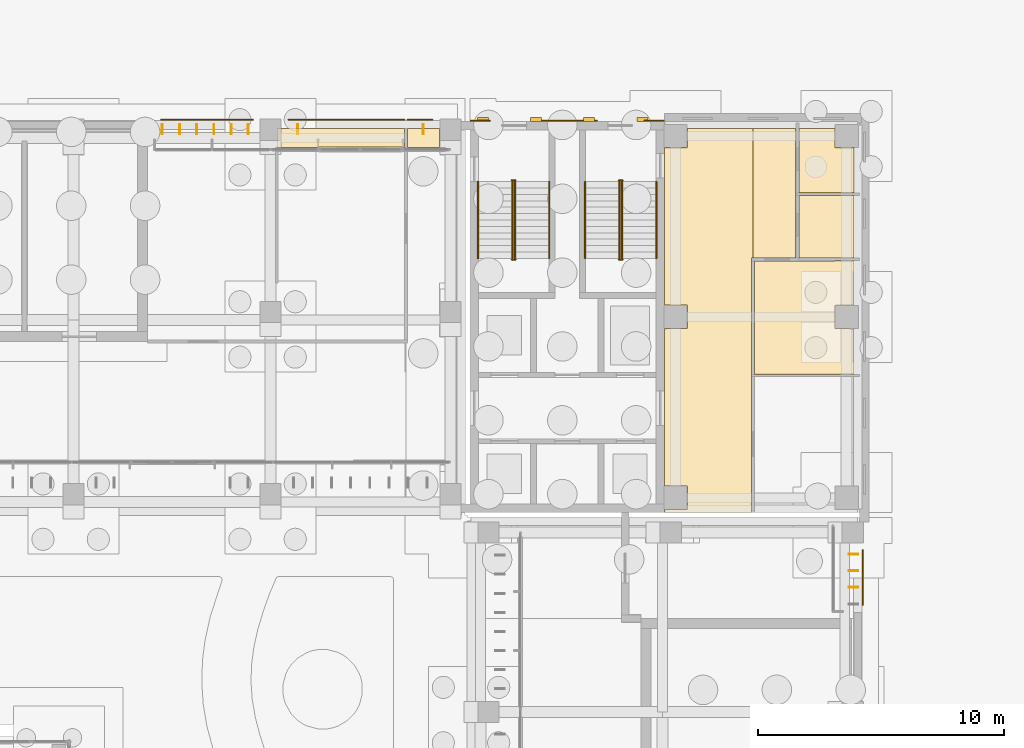
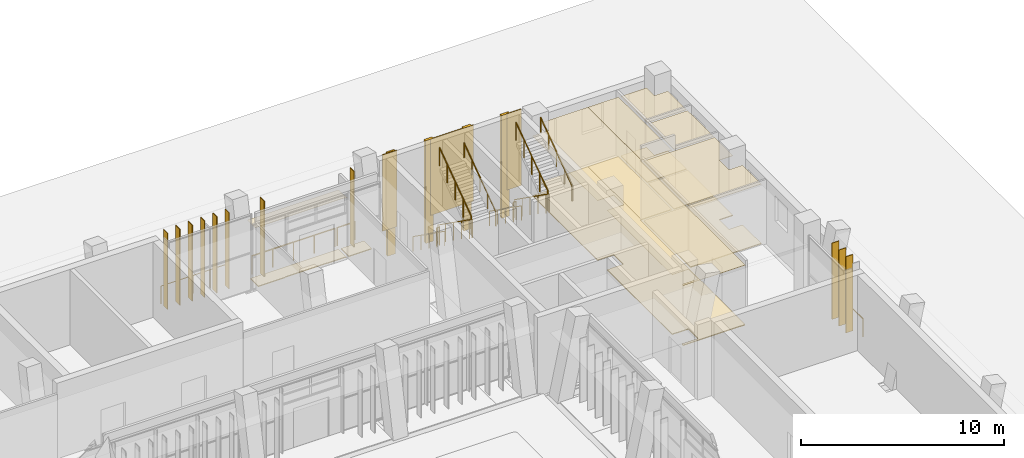
# One storey, part 143 of 144: 20 coverings, 16 railings, 11 shading devices.
"""IFC4 building model written with IfcOpenShell, lengths in metres."""

from ifc_helpers import new_model, si_unit, direction, frame, frame_2d, origin, origin_2d, place, context, subcontext, project, spatial, polyline, rectangle, circle, outline, extrude, material, layer, layer_set, type_object, element, save


model = new_model("IFC4")

# Units and contexts
model_context = context("Model", 3, precision=1e-05, world=origin(), true_north=direction((0.0, 1.0)))
body_context = subcontext(model_context, "Body", "Model", "MODEL_VIEW")
ifc_project = project(units=[si_unit("LENGTHUNIT", "METRE"), si_unit("AREAUNIT", "SQUARE_METRE"), si_unit("VOLUMEUNIT", "CUBIC_METRE"), si_unit("PLANEANGLEUNIT", "RADIAN"), si_unit("MASSUNIT", "GRAM", prefix="KILO")], contexts=[model_context])

# Site, building, storey
site_placement = place(None, origin())
site = spatial("IfcSite", under=ifc_project, at=site_placement, CompositionType="ELEMENT")
building_placement = place(site_placement, origin())
building = spatial("IfcBuilding", under=site, at=building_placement, Name="Lantern Court Media Centre", CompositionType="ELEMENT")
storey_placement = place(building_placement, origin())
storey = spatial("IfcBuildingStorey", under=building, at=storey_placement, Name="L00", CompositionType="ELEMENT", Elevation=0.0)

# Coverings
ifc_material_1 = material(Name="Carpet")
ifc_layer_1 = layer(ifc_material_1, 0.050048828125)
ifc_layer_set_1 = layer_set([ifc_layer_1], Name="Carpet")
covering_type_1 = type_object("IfcCoveringType", Name="Carpet floor finish", PredefinedType="FLOORING", material=ifc_layer_set_1)
covering_1_placement = place(storey_placement, origin())
element("IfcCovering", 1, at=covering_1_placement, inside=storey, type_object=covering_type_1, Name="Media Training Room 02 floor finish", PredefinedType="FLOORING", context=body_context, shape_type="SweptSolid", body=[
    extrude(outline(polyline([(77.4326171875, 111.699951171875), (77.4326171875, 110.929931640625), (77.35498046875, 110.929931640625), (77.35009765625, 110.955078125), (73.949951171875, 110.955078125), (73.945068359375, 110.929931640625), (72.429931640625, 110.929931640625), (72.429931640625, 111.699951171875), (77.4326171875, 111.699951171875)])), origin(), (0.0, 0.0, 1.0), 0.050048828125),
])
covering_2_placement = place(storey_placement, origin())
element("IfcCovering", 2, at=covering_2_placement, inside=storey, type_object=covering_type_1, Name="Broadcast Programming Office 01 floor finish", PredefinedType="FLOORING", context=body_context, shape_type="SweptSolid", body=[
    extrude(outline(polyline([(95.699951171875, 101.72607421875), (91.66748046875, 101.72607421875), (91.66748046875, 106.318603515625), (95.699951171875, 106.3310546875), (95.699951171875, 104.530029296875), (94.919921875, 104.52490234375), (94.921142578125, 103.57177734375), (95.699951171875, 103.570068359375), (95.699951171875, 101.72607421875)])), origin(), (0.0, 0.0, 1.0), 0.050048828125),
])
covering_3_placement = place(storey_placement, origin())
element("IfcCovering", 3, at=covering_3_placement, inside=storey, type_object=covering_type_1, Name="WC Male floor finish", PredefinedType="FLOORING", context=body_context, shape_type="SweptSolid", body=[
    extrude(outline(polyline([(95.699951171875, 109.097900390625), (93.467529296875, 109.097900390625), (93.467529296875, 111.699951171875), (94.919921875, 111.699951171875), (94.92138671875, 110.92138671875), (95.699951171875, 110.919921875), (95.699951171875, 109.097900390625)])), origin(), (0.0, 0.0, 1.0), 0.050048828125),
])
covering_4_placement = place(storey_placement, origin())
element("IfcCovering", 4, at=covering_4_placement, inside=storey, type_object=covering_type_1, Name="WC Female floor finish", PredefinedType="FLOORING", context=body_context, shape_type="SweptSolid", body=[
    extrude(outline(polyline([(95.699951171875, 106.44091796875), (93.467529296875, 106.44091796875), (93.467529296875, 108.988037109375), (95.699951171875, 108.988037109375), (95.699951171875, 106.44091796875)])), origin(), (0.0, 0.0, 1.0), 0.050048828125),
])

# Railings
ifc_material_2 = material(Name="Powder-coated steel", Category="steel")
railing_type_1 = type_object("IfcRailingType", Name="Floor edge guard 1100", PredefinedType="GUARDRAIL", material=ifc_material_2)
railing_1_placement = place(storey_placement, frame((96.06005859375, 92.35009765625, 0.0)))
element("IfcRailing", 5, at=railing_1_placement, inside=storey, type_object=railing_type_1, Name="L00 opening guard 18", PredefinedType="GUARDRAIL", context=body_context, shape_type="SweptSolid", body=[
    extrude(circle(Radius=0.02392578125, at=origin_2d()), frame((0.0, 0.0, 1.076171875), z_axis=(0.0, 1.0, 0.0), x_axis=(-1.0, 0.0, 0.0)), (0.0, 0.0, 1.0), 2.224853515625),
    extrude(circle(Radius=0.02099609375, at=origin_2d()), origin(), (0.0, 0.0, 1.0), 1.052001953125),
    extrude(circle(Radius=0.02099609375, at=origin_2d()), frame((0.0, 1.1123046875, 0.0)), (0.0, 0.0, 1.0), 1.052001953125),
    extrude(circle(Radius=0.02099609375, at=origin_2d()), frame((0.0, 2.224853515625, 0.0)), (0.0, 0.0, 1.0), 1.052001953125),
])
railing_2_placement = place(storey_placement, frame((78.574951171875, 112.06005859375, 0.0)))
element("IfcRailing", 6, at=railing_2_placement, inside=storey, type_object=railing_type_1, Name="L00 opening guard 19", PredefinedType="GUARDRAIL", context=body_context, shape_type="SweptSolid", body=[
    extrude(circle(Radius=0.02392578125, at=origin_2d()), frame((0.0, 0.0, 1.076171875), z_axis=(-1.0, 0.0, 0.0), x_axis=(0.0, -1.0, 0.0)), (0.0, 0.0, 1.0), 1.012451171875),
    extrude(circle(Radius=0.02099609375, at=origin_2d()), origin(), (0.0, 0.0, 1.0), 1.052001953125),
    extrude(circle(Radius=0.02099609375, at=origin_2d()), frame((-1.012451171875, 0.0, 0.0)), (0.0, 0.0, 1.0), 1.052001953125),
])
railing_3_placement = place(storey_placement, frame((77.4375, 112.06005859375, 0.0)))
element("IfcRailing", 7, at=railing_3_placement, inside=storey, type_object=railing_type_1, Name="L00 opening guard 20", PredefinedType="GUARDRAIL", context=body_context, shape_type="SweptSolid", body=[
    extrude(circle(Radius=0.02392578125, at=origin_2d()), frame((0.0, 0.0, 1.076171875), z_axis=(-1.0, 0.0, 0.0), x_axis=(0.0, -1.0, 0.0)), (0.0, 0.0, 1.0), 4.71240234375),
    extrude(circle(Radius=0.02099609375, at=origin_2d()), origin(), (0.0, 0.0, 1.0), 1.052001953125),
    extrude(circle(Radius=0.02099609375, at=origin_2d()), frame((-1.17822265625, 0.0, 0.0)), (0.0, 0.0, 1.0), 1.052001953125),
    extrude(circle(Radius=0.02099609375, at=origin_2d()), frame((-2.356201171875, 0.0, 0.0)), (0.0, 0.0, 1.0), 1.052001953125),
    extrude(circle(Radius=0.02099609375, at=origin_2d()), frame((-3.5341796875, 0.0, 0.0)), (0.0, 0.0, 1.0), 1.052001953125),
    extrude(circle(Radius=0.02099609375, at=origin_2d()), frame((-4.71240234375, 0.0, 0.0)), (0.0, 0.0, 1.0), 1.052001953125),
])
railing_4_placement = place(storey_placement, frame((71.27490234375, 112.06005859375, 0.0)))
element("IfcRailing", 8, at=railing_4_placement, inside=storey, type_object=railing_type_1, Name="L00 opening guard 21", PredefinedType="GUARDRAIL", context=body_context, shape_type="SweptSolid", body=[
    extrude(circle(Radius=0.02392578125, at=origin_2d()), frame((0.0, 0.0, 1.076171875), z_axis=(-1.0, 0.0, 0.0), x_axis=(0.0, -1.0, 0.0)), (0.0, 0.0, 1.0), 3.724853515625),
    extrude(circle(Radius=0.02099609375, at=origin_2d()), origin(), (0.0, 0.0, 1.0), 1.052001953125),
    extrude(circle(Radius=0.02099609375, at=origin_2d()), frame((-0.93115234375, 0.0, 0.0)), (0.0, 0.0, 1.0), 1.052001953125),
    extrude(circle(Radius=0.02099609375, at=origin_2d()), frame((-1.8623046875, 0.0, 0.0)), (0.0, 0.0, 1.0), 1.052001953125),
    extrude(circle(Radius=0.02099609375, at=origin_2d()), frame((-2.793701171875, 0.0, 0.0)), (0.0, 0.0, 1.0), 1.052001953125),
    extrude(circle(Radius=0.02099609375, at=origin_2d()), frame((-3.724853515625, 0.0, 0.0)), (0.0, 0.0, 1.0), 1.052001953125),
])

# Coverings
ifc_material_3 = material(Name="Honed limestone cladding", Category="masonry")
ifc_layer_2 = layer(ifc_material_3, 0.050048828125)
ifc_layer_set_2 = layer_set([ifc_layer_2], Name="Honed limestone cladding")
covering_type_2 = type_object("IfcCoveringType", Name="Limestone cladding panel 50", PredefinedType="CLADDING", material=ifc_layer_set_2)
covering_5_placement = place(storey_placement, frame((80.10009765625, 112.02490234375, 0.0), z_axis=(0.0, 0.0, 1.0), x_axis=(1.0, 0.0, 0.0)))
element("IfcCovering", 9, at=covering_5_placement, inside=storey, type_object=covering_type_2, Name="Limestone cladding NE stair core", PredefinedType="CLADDING", context=body_context, shape_type="SweptSolid", body=[
    extrude(rectangle(XDim=0.824951171875, YDim=0.050048828125, at=frame_2d((0.41259765625, 0.0))), origin(), (0.0, 0.0, 1.0), 4.580078125),
])
covering_6_placement = place(storey_placement, frame((82.824951171875, 112.02490234375, 0.0), z_axis=(0.0, 0.0, 1.0), x_axis=(1.0, 0.0, 0.0)))
element("IfcCovering", 10, at=covering_6_placement, inside=storey, type_object=covering_type_2, Name="Limestone cladding NE stair core", PredefinedType="CLADDING", context=body_context, shape_type="SweptSolid", body=[
    extrude(rectangle(XDim=2.449951171875, YDim=0.050048828125, at=frame_2d((1.22509765625, 0.0))), origin(), (0.0, 0.0, 1.0), 4.580078125),
])
covering_7_placement = place(storey_placement, frame((87.175048828125, 112.02490234375, 0.0), z_axis=(0.0, 0.0, 1.0), x_axis=(1.0, 0.0, 0.0)))
element("IfcCovering", 11, at=covering_7_placement, inside=storey, type_object=covering_type_2, Name="Limestone cladding NE stair core", PredefinedType="CLADDING", context=body_context, shape_type="SweptSolid", body=[
    extrude(rectangle(XDim=0.824951171875, YDim=0.050048828125, at=frame_2d((0.41259765625, 0.0))), origin(), (0.0, 0.0, 1.0), 4.580078125),
])
ifc_layer_3 = layer(ifc_material_3, 0.14990234375)
ifc_layer_set_3 = layer_set([ifc_layer_3], Name="Honed limestone cladding")
covering_type_3 = type_object("IfcCoveringType", Name="Limestone pilaster cladding 150", PredefinedType="CLADDING", material=ifc_layer_set_3)
covering_8_placement = place(storey_placement, frame((80.39990234375, 112.074951171875, -1.60009765625), z_axis=(0.0, 0.0, 1.0), x_axis=(1.0, 0.0, 0.0)))
element("IfcCovering", 12, at=covering_8_placement, inside=storey, type_object=covering_type_3, Name="Limestone pilaster rib", PredefinedType="CLADDING", context=body_context, shape_type="SweptSolid", body=[
    extrude(rectangle(XDim=0.4501953125, YDim=0.14990234375, at=frame_2d((0.22509765625, 0.0))), origin(), (0.0, 0.0, 1.0), 6.18017578125),
])
covering_9_placement = place(storey_placement, frame((82.558349609375, 112.074951171875, -1.60009765625), z_axis=(0.0, 0.0, 1.0), x_axis=(1.0, 0.0, 0.0)))
element("IfcCovering", 13, at=covering_9_placement, inside=storey, type_object=covering_type_3, Name="Limestone pilaster rib", PredefinedType="CLADDING", context=body_context, shape_type="SweptSolid", body=[
    extrude(rectangle(XDim=0.449951171875, YDim=0.14990234375, at=frame_2d((0.22509765625, 0.0))), origin(), (0.0, 0.0, 1.0), 6.18017578125),
])
covering_10_placement = place(storey_placement, frame((84.716552734375, 112.074951171875, -1.60009765625), z_axis=(0.0, 0.0, 1.0), x_axis=(1.0, 0.0, 0.0)))
element("IfcCovering", 14, at=covering_10_placement, inside=storey, type_object=covering_type_3, Name="Limestone pilaster rib", PredefinedType="CLADDING", context=body_context, shape_type="SweptSolid", body=[
    extrude(rectangle(XDim=0.4501953125, YDim=0.14990234375, at=frame_2d((0.22509765625, 0.0))), origin(), (0.0, 0.0, 1.0), 6.18017578125),
])
covering_11_placement = place(storey_placement, frame((86.875, 112.074951171875, -1.60009765625), z_axis=(0.0, 0.0, 1.0), x_axis=(1.0, 0.0, 0.0)))
element("IfcCovering", 15, at=covering_11_placement, inside=storey, type_object=covering_type_3, Name="Limestone pilaster rib", PredefinedType="CLADDING", context=body_context, shape_type="SweptSolid", body=[
    extrude(rectangle(XDim=0.449951171875, YDim=0.14990234375, at=frame_2d((0.22509765625, 0.0))), origin(), (0.0, 0.0, 1.0), 6.18017578125),
])

# Railings
railing_type_2 = type_object("IfcRailingType", Name="Stair guard 1100", PredefinedType="GUARDRAIL", material=ifc_material_2)
railing_5_placement = place(storey_placement, frame((86.174072265625, 109.550048828125, 0.1845703125)))
element("IfcRailing", 16, at=railing_5_placement, inside=storey, type_object=railing_type_2, Name="L00 ST-NEA stair guard 1", PredefinedType="GUARDRAIL", context=body_context, shape_type="SweptSolid", body=[
    extrude(circle(Radius=0.02392578125, at=origin_2d()), frame((0.0, 0.0, 1.076171875), z_axis=(0.0, -0.815376961211, 0.578930402662), x_axis=(1.0, 0.0, 0.0)), (0.0, 0.0, 1.0), 3.82666015625),
    extrude(circle(Radius=0.02099609375, at=origin_2d()), origin(), (0.0, 0.0, 1.0), 1.052001953125),
    extrude(circle(Radius=0.02099609375, at=origin_2d()), frame((0.0, -0.780029296875, 0.5537109375)), (0.0, 0.0, 1.0), 1.052001953125),
    extrude(circle(Radius=0.02099609375, at=origin_2d()), frame((0.0, -1.56005859375, 1.107666015625)), (0.0, 0.0, 1.0), 1.052001953125),
    extrude(circle(Radius=0.02099609375, at=origin_2d()), frame((0.0, -2.340087890625, 1.66162109375)), (0.0, 0.0, 1.0), 1.052001953125),
    extrude(circle(Radius=0.02099609375, at=origin_2d()), frame((0.0, -3.1201171875, 2.21533203125)), (0.0, 0.0, 1.0), 1.052001953125),
])
railing_6_placement = place(storey_placement, frame((86.14990234375, 106.3798828125, 2.39990234375)))
element("IfcRailing", 17, at=railing_6_placement, inside=storey, type_object=railing_type_2, Name="L00 ST-NEA stair guard 2", PredefinedType="GUARDRAIL", context=body_context, shape_type="SweptSolid", body=[
    extrude(circle(Radius=0.02392578125, at=origin_2d()), frame((0.0, 0.0, 1.076171875), z_axis=(1.0, 0.0, 0.0), x_axis=(0.0, 1.0, 0.0)), (0.0, 0.0, 1.0), 0.150146484375),
    extrude(circle(Radius=0.02099609375, at=origin_2d()), origin(), (0.0, 0.0, 1.0), 1.052001953125),
    extrude(circle(Radius=0.02099609375, at=origin_2d()), frame((0.150146484375, 0.0, 0.0)), (0.0, 0.0, 1.0), 1.052001953125),
])
railing_7_placement = place(storey_placement, frame((86.27587890625, 106.429931640625, 2.584716796875)))
element("IfcRailing", 18, at=railing_7_placement, inside=storey, type_object=railing_type_2, Name="L00 ST-NEA stair guard 3", PredefinedType="GUARDRAIL", context=body_context, shape_type="SweptSolid", body=[
    extrude(circle(Radius=0.02392578125, at=origin_2d()), frame((0.0, 0.0, 1.076171875), z_axis=(0.0, 0.815376961211, 0.578930402662), x_axis=(-1.0, 0.0, 0.0)), (0.0, 0.0, 1.0), 3.82666015625),
    extrude(circle(Radius=0.02099609375, at=origin_2d()), origin(), (0.0, 0.0, 1.0), 1.052001953125),
    extrude(circle(Radius=0.02099609375, at=origin_2d()), frame((0.0, 0.780029296875, 0.5537109375)), (0.0, 0.0, 1.0), 1.052001953125),
    extrude(circle(Radius=0.02099609375, at=origin_2d()), frame((0.0, 1.56005859375, 1.107666015625)), (0.0, 0.0, 1.0), 1.052001953125),
    extrude(circle(Radius=0.02099609375, at=origin_2d()), frame((0.0, 2.340087890625, 1.66162109375)), (0.0, 0.0, 1.0), 1.052001953125),
    extrude(circle(Radius=0.02099609375, at=origin_2d()), frame((0.0, 3.1201171875, 2.21533203125)), (0.0, 0.0, 1.0), 1.052001953125),
])
railing_8_placement = place(storey_placement, frame((86.14990234375, 109.60009765625, 0.0)))
element("IfcRailing", 19, at=railing_8_placement, inside=storey, type_object=railing_type_2, Name="L00 ST-NEA stair guard 4", PredefinedType="GUARDRAIL", context=body_context, shape_type="SweptSolid", body=[
    extrude(circle(Radius=0.02392578125, at=origin_2d()), frame((0.0, 0.0, 1.076171875), z_axis=(1.0, 0.0, 0.0), x_axis=(0.0, 1.0, 0.0)), (0.0, 0.0, 1.0), 0.150146484375),
    extrude(circle(Radius=0.02099609375, at=origin_2d()), origin(), (0.0, 0.0, 1.0), 1.052001953125),
    extrude(circle(Radius=0.02099609375, at=origin_2d()), frame((0.150146484375, 0.0, 0.0)), (0.0, 0.0, 1.0), 1.052001953125),
])
railing_9_placement = place(storey_placement, frame((81.823974609375, 109.550048828125, 0.1845703125)))
element("IfcRailing", 20, at=railing_9_placement, inside=storey, type_object=railing_type_2, Name="L00 ST-NEB stair guard 1", PredefinedType="GUARDRAIL", context=body_context, shape_type="SweptSolid", body=[
    extrude(circle(Radius=0.02392578125, at=origin_2d()), frame((0.0, 0.0, 1.076171875), z_axis=(0.0, -0.815376961211, 0.578930402662), x_axis=(1.0, 0.0, 0.0)), (0.0, 0.0, 1.0), 3.82666015625),
    extrude(circle(Radius=0.02099609375, at=origin_2d()), origin(), (0.0, 0.0, 1.0), 1.052001953125),
    extrude(circle(Radius=0.02099609375, at=origin_2d()), frame((0.0, -0.780029296875, 0.5537109375)), (0.0, 0.0, 1.0), 1.052001953125),
    extrude(circle(Radius=0.02099609375, at=origin_2d()), frame((0.0, -1.56005859375, 1.107666015625)), (0.0, 0.0, 1.0), 1.052001953125),
    extrude(circle(Radius=0.02099609375, at=origin_2d()), frame((0.0, -2.340087890625, 1.66162109375)), (0.0, 0.0, 1.0), 1.052001953125),
    extrude(circle(Radius=0.02099609375, at=origin_2d()), frame((0.0, -3.1201171875, 2.21533203125)), (0.0, 0.0, 1.0), 1.052001953125),
])
railing_10_placement = place(storey_placement, frame((81.800048828125, 106.3798828125, 2.39990234375)))
element("IfcRailing", 21, at=railing_10_placement, inside=storey, type_object=railing_type_2, Name="L00 ST-NEB stair guard 2", PredefinedType="GUARDRAIL", context=body_context, shape_type="SweptSolid", body=[
    extrude(circle(Radius=0.02392578125, at=origin_2d()), frame((0.0, 0.0, 1.076171875), z_axis=(1.0, 0.0, 0.0), x_axis=(0.0, 1.0, 0.0)), (0.0, 0.0, 1.0), 0.14990234375),
    extrude(circle(Radius=0.02099609375, at=origin_2d()), origin(), (0.0, 0.0, 1.0), 1.052001953125),
    extrude(circle(Radius=0.02099609375, at=origin_2d()), frame((0.14990234375, 0.0, 0.0)), (0.0, 0.0, 1.0), 1.052001953125),
])
railing_11_placement = place(storey_placement, frame((81.926025390625, 106.429931640625, 2.584716796875)))
element("IfcRailing", 22, at=railing_11_placement, inside=storey, type_object=railing_type_2, Name="L00 ST-NEB stair guard 3", PredefinedType="GUARDRAIL", context=body_context, shape_type="SweptSolid", body=[
    extrude(circle(Radius=0.02392578125, at=origin_2d()), frame((0.0, 0.0, 1.076171875), z_axis=(0.0, 0.815376961211, 0.578930402662), x_axis=(-1.0, 0.0, 0.0)), (0.0, 0.0, 1.0), 3.82666015625),
    extrude(circle(Radius=0.02099609375, at=origin_2d()), origin(), (0.0, 0.0, 1.0), 1.052001953125),
    extrude(circle(Radius=0.02099609375, at=origin_2d()), frame((0.0, 0.780029296875, 0.5537109375)), (0.0, 0.0, 1.0), 1.052001953125),
    extrude(circle(Radius=0.02099609375, at=origin_2d()), frame((0.0, 1.56005859375, 1.107666015625)), (0.0, 0.0, 1.0), 1.052001953125),
    extrude(circle(Radius=0.02099609375, at=origin_2d()), frame((0.0, 2.340087890625, 1.66162109375)), (0.0, 0.0, 1.0), 1.052001953125),
    extrude(circle(Radius=0.02099609375, at=origin_2d()), frame((0.0, 3.1201171875, 2.21533203125)), (0.0, 0.0, 1.0), 1.052001953125),
])
railing_12_placement = place(storey_placement, frame((81.800048828125, 109.60009765625, 0.0)))
element("IfcRailing", 23, at=railing_12_placement, inside=storey, type_object=railing_type_2, Name="L00 ST-NEB stair guard 4", PredefinedType="GUARDRAIL", context=body_context, shape_type="SweptSolid", body=[
    extrude(circle(Radius=0.02392578125, at=origin_2d()), frame((0.0, 0.0, 1.076171875), z_axis=(1.0, 0.0, 0.0), x_axis=(0.0, 1.0, 0.0)), (0.0, 0.0, 1.0), 0.14990234375),
    extrude(circle(Radius=0.02099609375, at=origin_2d()), origin(), (0.0, 0.0, 1.0), 1.052001953125),
    extrude(circle(Radius=0.02099609375, at=origin_2d()), frame((0.14990234375, 0.0, 0.0)), (0.0, 0.0, 1.0), 1.052001953125),
])
railing_type_3 = type_object("IfcRailingType", Name="Stair handrail 900", PredefinedType="HANDRAIL", material=ifc_material_2)
railing_13_placement = place(storey_placement, frame((84.77587890625, 109.550048828125, 0.1845703125)))
element("IfcRailing", 24, at=railing_13_placement, inside=storey, type_object=railing_type_3, Name="L00 ST-NEA stair handrail 1", PredefinedType="HANDRAIL", context=body_context, shape_type="SweptSolid", body=[
    extrude(circle(Radius=0.02392578125, at=origin_2d()), frame((0.0, 0.0, 0.8759765625), z_axis=(0.0, -0.815376961211, 0.578930402662), x_axis=(1.0, 0.0, 0.0)), (0.0, 0.0, 1.0), 3.82666015625),
    extrude(circle(Radius=0.02099609375, at=origin_2d()), origin(), (0.0, 0.0, 1.0), 0.851806640625),
    extrude(circle(Radius=0.02099609375, at=origin_2d()), frame((0.0, -0.780029296875, 0.5537109375)), (0.0, 0.0, 1.0), 0.851806640625),
    extrude(circle(Radius=0.02099609375, at=origin_2d()), frame((0.0, -1.56005859375, 1.107666015625)), (0.0, 0.0, 1.0), 0.851806640625),
    extrude(circle(Radius=0.02099609375, at=origin_2d()), frame((0.0, -2.340087890625, 1.66162109375)), (0.0, 0.0, 1.0), 0.851806640625),
    extrude(circle(Radius=0.02099609375, at=origin_2d()), frame((0.0, -3.1201171875, 2.21533203125)), (0.0, 0.0, 1.0), 0.851806640625),
])
railing_14_placement = place(storey_placement, frame((87.674072265625, 106.429931640625, 2.584716796875)))
element("IfcRailing", 25, at=railing_14_placement, inside=storey, type_object=railing_type_3, Name="L00 ST-NEA stair handrail 2", PredefinedType="HANDRAIL", context=body_context, shape_type="SweptSolid", body=[
    extrude(circle(Radius=0.02392578125, at=origin_2d()), frame((0.0, 0.0, 0.8759765625), z_axis=(0.0, 0.815376961211, 0.578930402662), x_axis=(-1.0, 0.0, 0.0)), (0.0, 0.0, 1.0), 3.82666015625),
    extrude(circle(Radius=0.02099609375, at=origin_2d()), origin(), (0.0, 0.0, 1.0), 0.851806640625),
    extrude(circle(Radius=0.02099609375, at=origin_2d()), frame((0.0, 0.780029296875, 0.5537109375)), (0.0, 0.0, 1.0), 0.851806640625),
    extrude(circle(Radius=0.02099609375, at=origin_2d()), frame((0.0, 1.56005859375, 1.107666015625)), (0.0, 0.0, 1.0), 0.851806640625),
    extrude(circle(Radius=0.02099609375, at=origin_2d()), frame((0.0, 2.340087890625, 1.66162109375)), (0.0, 0.0, 1.0), 0.851806640625),
    extrude(circle(Radius=0.02099609375, at=origin_2d()), frame((0.0, 3.1201171875, 2.21533203125)), (0.0, 0.0, 1.0), 0.851806640625),
])
railing_15_placement = place(storey_placement, frame((80.426025390625, 109.550048828125, 0.1845703125)))
element("IfcRailing", 26, at=railing_15_placement, inside=storey, type_object=railing_type_3, Name="L00 ST-NEB stair handrail 1", PredefinedType="HANDRAIL", context=body_context, shape_type="SweptSolid", body=[
    extrude(circle(Radius=0.02392578125, at=origin_2d()), frame((0.0, 0.0, 0.8759765625), z_axis=(0.0, -0.815376961211, 0.578930402662), x_axis=(1.0, 0.0, 0.0)), (0.0, 0.0, 1.0), 3.82666015625),
    extrude(circle(Radius=0.02099609375, at=origin_2d()), origin(), (0.0, 0.0, 1.0), 0.851806640625),
    extrude(circle(Radius=0.02099609375, at=origin_2d()), frame((0.0, -0.780029296875, 0.5537109375)), (0.0, 0.0, 1.0), 0.851806640625),
    extrude(circle(Radius=0.02099609375, at=origin_2d()), frame((0.0, -1.56005859375, 1.107666015625)), (0.0, 0.0, 1.0), 0.851806640625),
    extrude(circle(Radius=0.02099609375, at=origin_2d()), frame((0.0, -2.340087890625, 1.66162109375)), (0.0, 0.0, 1.0), 0.851806640625),
    extrude(circle(Radius=0.02099609375, at=origin_2d()), frame((0.0, -3.1201171875, 2.21533203125)), (0.0, 0.0, 1.0), 0.851806640625),
])
railing_16_placement = place(storey_placement, frame((83.323974609375, 106.429931640625, 2.584716796875)))
element("IfcRailing", 27, at=railing_16_placement, inside=storey, type_object=railing_type_3, Name="L00 ST-NEB stair handrail 2", PredefinedType="HANDRAIL", context=body_context, shape_type="SweptSolid", body=[
    extrude(circle(Radius=0.02392578125, at=origin_2d()), frame((0.0, 0.0, 0.8759765625), z_axis=(0.0, 0.815376961211, 0.578930402662), x_axis=(-1.0, 0.0, 0.0)), (0.0, 0.0, 1.0), 3.82666015625),
    extrude(circle(Radius=0.02099609375, at=origin_2d()), origin(), (0.0, 0.0, 1.0), 0.851806640625),
    extrude(circle(Radius=0.02099609375, at=origin_2d()), frame((0.0, 0.780029296875, 0.5537109375)), (0.0, 0.0, 1.0), 0.851806640625),
    extrude(circle(Radius=0.02099609375, at=origin_2d()), frame((0.0, 1.56005859375, 1.107666015625)), (0.0, 0.0, 1.0), 0.851806640625),
    extrude(circle(Radius=0.02099609375, at=origin_2d()), frame((0.0, 2.340087890625, 1.66162109375)), (0.0, 0.0, 1.0), 0.851806640625),
    extrude(circle(Radius=0.02099609375, at=origin_2d()), frame((0.0, 3.1201171875, 2.21533203125)), (0.0, 0.0, 1.0), 0.851806640625),
])

# Coverings
ifc_material_4 = material(Name="Mineral fibre ceiling tile")
ifc_layer_4 = layer(ifc_material_4, 0.02001953125)
ifc_layer_set_4 = layer_set([ifc_layer_4], Name="Mineral fibre ceiling tile")
covering_type_4 = type_object("IfcCoveringType", Name="Suspended ceiling tile", PredefinedType="CEILING", material=ifc_layer_set_4)
covering_12_placement = place(storey_placement, frame((0.0, 0.0, 3.60009765625)))
element("IfcCovering", 28, at=covering_12_placement, inside=storey, type_object=covering_type_4, Name="Media Training Room 02 ceiling", PredefinedType="CEILING", context=body_context, shape_type="SweptSolid", body=[
    extrude(outline(polyline([(77.5, 110.925537109375), (77.3505859375, 110.925537109375), (77.35009765625, 110.950439453125), (73.949951171875, 110.950439453125), (73.949462890625, 110.925537109375), (72.25, 110.925537109375), (72.25, 111.699951171875), (77.43701171875, 111.699951171875), (77.43701171875, 110.929931640625), (77.5, 110.925537109375)])), origin(), (0.0, 0.0, 1.0), 0.02001953125),
])
covering_13_placement = place(storey_placement, frame((0.0, 0.0, 3.60009765625)))
element("IfcCovering", 29, at=covering_13_placement, inside=storey, type_object=covering_type_4, Name="Corridor ceiling", PredefinedType="CEILING", context=body_context, shape_type="SweptSolid", body=[
    extrude(outline(polyline([(91.60009765625, 111.699951171875), (91.60009765625, 106.448974609375), (91.537109375, 106.448486328125), (91.537109375, 96.10009765625), (88.00048828125, 96.10009765625), (88.00048828125, 96.224609375), (88.925537109375, 96.22509765625), (88.92529296875, 97.17529296875), (88.00048828125, 97.175537109375), (88.00048828125, 103.574462890625), (88.925537109375, 103.574951171875), (88.92529296875, 104.525390625), (88.00048828125, 104.525390625), (88.00048828125, 110.924560546875), (88.92529296875, 110.924560546875), (88.925537109375, 111.699951171875), (91.60009765625, 111.699951171875)])), origin(), (0.0, 0.0, 1.0), 0.02001953125),
])
covering_14_placement = place(storey_placement, frame((0.0, 0.0, 3.60009765625)))
element("IfcCovering", 30, at=covering_14_placement, inside=storey, type_object=covering_type_4, Name="Broadcast Programming Office 01 ceiling", PredefinedType="CEILING", context=body_context, shape_type="SweptSolid", body=[
    extrude(outline(polyline([(95.699951171875, 101.721435546875), (91.6630859375, 101.721435546875), (91.6630859375, 106.322998046875), (95.699951171875, 106.33544921875), (95.699951171875, 104.525390625), (94.924560546875, 104.52490234375), (94.924560546875, 103.57470703125), (95.699951171875, 103.574462890625), (95.699951171875, 101.721435546875)])), origin(), (0.0, 0.0, 1.0), 0.02001953125),
])
covering_15_placement = place(storey_placement, frame((0.0, 0.0, 3.60009765625)))
element("IfcCovering", 31, at=covering_15_placement, inside=storey, type_object=covering_type_4, Name="WC Lobby ceiling", PredefinedType="CEILING", context=body_context, shape_type="SweptSolid", body=[
    extrude(outline(polyline([(91.60009765625, 111.699951171875), (93.3369140625, 111.699951171875), (93.3369140625, 106.448974609375), (91.60009765625, 106.448974609375), (91.60009765625, 111.699951171875)])), origin(), (0.0, 0.0, 1.0), 0.02001953125),
])
covering_16_placement = place(storey_placement, frame((0.0, 0.0, 3.60009765625)))
element("IfcCovering", 32, at=covering_16_placement, inside=storey, type_object=covering_type_4, Name="WC Male ceiling", PredefinedType="CEILING", context=body_context, shape_type="SweptSolid", body=[
    extrude(outline(polyline([(95.699951171875, 109.093505859375), (93.462890625, 109.093505859375), (93.462890625, 111.699951171875), (94.924560546875, 111.699951171875), (94.924560546875, 110.924560546875), (95.699951171875, 110.924560546875), (95.699951171875, 109.093505859375)])), origin(), (0.0, 0.0, 1.0), 0.02001953125),
])
covering_17_placement = place(storey_placement, frame((0.0, 0.0, 3.60009765625)))
element("IfcCovering", 33, at=covering_17_placement, inside=storey, type_object=covering_type_4, Name="WC Female ceiling", PredefinedType="CEILING", context=body_context, shape_type="SweptSolid", body=[
    extrude(outline(polyline([(95.699951171875, 106.4365234375), (93.462890625, 106.4365234375), (93.462890625, 108.992431640625), (95.699951171875, 108.992431640625), (95.699951171875, 106.4365234375)])), origin(), (0.0, 0.0, 1.0), 0.02001953125),
])
ifc_material_5 = material(Name="Terrazzo")
ifc_layer_5 = layer(ifc_material_5, 0.050048828125)
ifc_layer_set_5 = layer_set([ifc_layer_5], Name="Terrazzo")
covering_type_5 = type_object("IfcCoveringType", Name="Terrazzo floor finish", PredefinedType="FLOORING", material=ifc_layer_set_5)
covering_18_placement = place(storey_placement, origin())
element("IfcCovering", 34, at=covering_18_placement, inside=storey, type_object=covering_type_5, Name="End Lobby floor finish", PredefinedType="FLOORING", context=body_context, shape_type="SweptSolid", body=[
    extrude(outline(polyline([(78.8701171875, 111.699951171875), (78.8701171875, 110.929931640625), (77.5673828125, 110.929931640625), (77.5673828125, 111.699951171875), (78.8701171875, 111.699951171875)])), origin(), (0.0, 0.0, 1.0), 0.050048828125),
])
covering_19_placement = place(storey_placement, origin())
element("IfcCovering", 35, at=covering_19_placement, inside=storey, type_object=covering_type_5, Name="Corridor floor finish", PredefinedType="FLOORING", context=body_context, shape_type="SweptSolid", body=[
    extrude(outline(polyline([(91.60009765625, 111.699951171875), (91.60009765625, 106.45361328125), (91.532470703125, 106.448486328125), (91.532470703125, 96.10009765625), (88.0048828125, 96.10009765625), (88.0048828125, 96.219970703125), (88.929931640625, 96.22509765625), (88.928466796875, 97.178466796875), (88.0048828125, 97.179931640625), (88.0048828125, 103.570068359375), (88.929931640625, 103.574951171875), (88.928466796875, 104.528564453125), (88.0048828125, 104.530029296875), (88.0048828125, 110.919921875), (88.92822265625, 110.921142578125), (88.929931640625, 111.699951171875), (91.60009765625, 111.699951171875)])), origin(), (0.0, 0.0, 1.0), 0.050048828125),
])
covering_20_placement = place(storey_placement, origin())
element("IfcCovering", 36, at=covering_20_placement, inside=storey, type_object=covering_type_5, Name="WC Lobby floor finish", PredefinedType="FLOORING", context=body_context, shape_type="SweptSolid", body=[
    extrude(outline(polyline([(91.60009765625, 111.699951171875), (93.33251953125, 111.699951171875), (93.33251953125, 106.45361328125), (91.60009765625, 106.45361328125), (91.60009765625, 111.699951171875)])), origin(), (0.0, 0.0, 1.0), 0.050048828125),
])

# Shading devices
ifc_material_6 = material(Name="Bronze anodised aluminium louvre", Category="aluminium")
ifc_layer_6 = layer(ifc_material_6, 0.0400390625)
ifc_layer_set_6 = layer_set([ifc_layer_6], Name="Bronze anodised aluminium louvre")
shading_device_type = type_object("IfcShadingDeviceType", Name="Vertical louvre 40x400 full storey", PredefinedType="USERDEFINED", material=ifc_layer_set_6)
for number, where, z_axis, x_axis, name in (
    (37, (67.60009765625, 111.679931640625, 0.0), (0.0, 0.0, 1.0), (1.0, 0.0, 0.0), "Vertical louvre N outer L00"),
    (38, (68.300048828125, 111.679931640625, 0.0), (0.0, 0.0, 1.0), (1.0, 0.0, 0.0), "Vertical louvre N outer L00"),
    (39, (69.0, 111.679931640625, 0.0), (0.0, 0.0, 1.0), (1.0, 0.0, 0.0), "Vertical louvre N outer L00"),
    (40, (69.699951171875, 111.679931640625, 0.0), (0.0, 0.0, 1.0), (1.0, 0.0, 0.0), "Vertical louvre N outer L00"),
    (41, (70.39990234375, 111.679931640625, 0.0), (0.0, 0.0, 1.0), (1.0, 0.0, 0.0), "Vertical louvre N outer L00"),
    (42, (71.10009765625, 111.679931640625, 0.0), (0.0, 0.0, 1.0), (1.0, 0.0, 0.0), "Vertical louvre N outer L00"),
    (43, (73.10009765625, 111.679931640625, 0.0), (0.0, 0.0, 1.0), (1.0, 0.0, 0.0), "Vertical louvre N outer L00"),
    (44, (78.199951171875, 111.679931640625, 0.0), (0.0, 0.0, 1.0), (1.0, 0.0, 0.0), "Vertical louvre N outer L00"),
):
    element("IfcShadingDevice", number, at=place(storey_placement, frame(where, z_axis=z_axis, x_axis=x_axis)), inside=storey, type_object=shading_device_type, Name=name, ObjectType="VERTICAL LOUVRE", PredefinedType="USERDEFINED", context=body_context, shape_type="SweptSolid", body=[
        extrude(rectangle(XDim=0.0400390625, YDim=0.39990234375, at=origin_2d()), origin(), (0.0, 0.0, 1.0), 4.580078125),
    ])
for number, where, z_axis, x_axis, name in (
    (45, (95.679931640625, 93.0625, 0.0), (0.0, 0.0, 1.0), (1.0, 0.0, 0.0), "Vertical louvre E outer L00"),
    (46, (95.679931640625, 93.737548828125, 0.0), (0.0, 0.0, 1.0), (1.0, 0.0, 0.0), "Vertical louvre E outer L00"),
    (47, (95.679931640625, 94.41259765625, 0.0), (0.0, 0.0, 1.0), (1.0, 0.0, 0.0), "Vertical louvre E outer L00"),
):
    element("IfcShadingDevice", number, at=place(storey_placement, frame(where, z_axis=z_axis, x_axis=x_axis)), inside=storey, type_object=shading_device_type, Name=name, ObjectType="VERTICAL LOUVRE", PredefinedType="USERDEFINED", context=body_context, shape_type="SweptSolid", body=[
        extrude(rectangle(XDim=0.39990234375, YDim=0.0400390625, at=origin_2d()), origin(), (0.0, 0.0, 1.0), 4.580078125),
    ])

save(model, "model.ifc")
